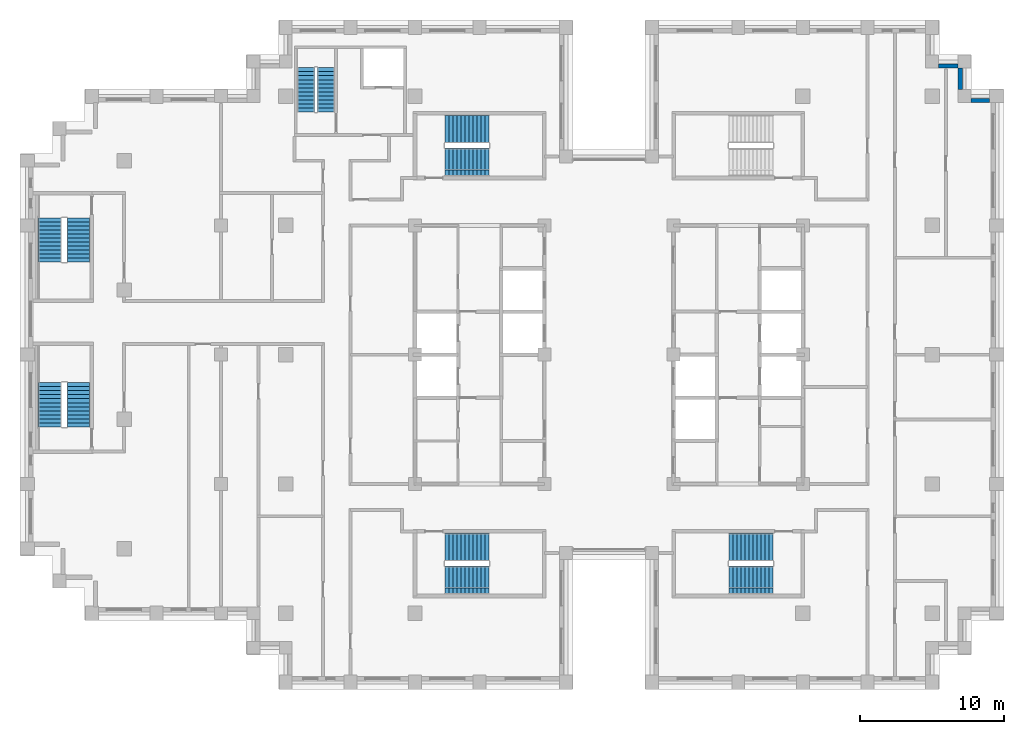
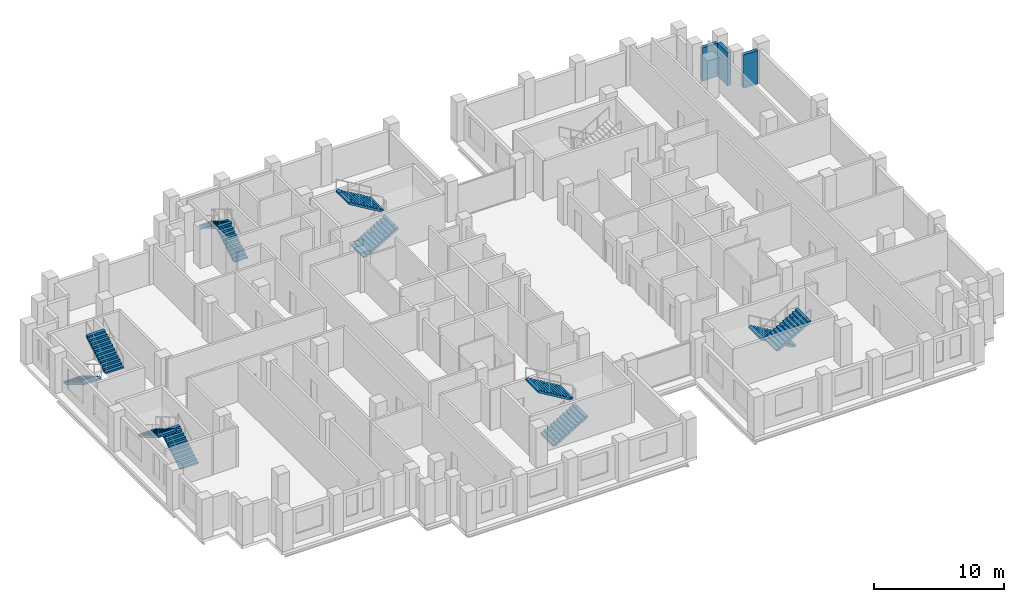
# One storey, part 12 of 15: 12 stair flights, 3 walls, 6 elements without a shape of their own.
"""IFC4 building model written with IfcOpenShell, lengths in metres."""

from ifc_helpers import new_model, si_unit, direction, frame, frame_2d, origin, place, context, subcontext, project, spatial, polyline, rectangle, outline, extrude, material, layer, layer_set, type_object, element, aggregate, save


model = new_model("IFC4")

# Units and contexts
model_context = context("Model", 3, precision=1e-05, world=origin(), true_north=direction((0.0, 1.0)))
body_context = subcontext(model_context, "Body", "Model", "MODEL_VIEW")
ifc_project = project(units=[si_unit("LENGTHUNIT", "METRE"), si_unit("AREAUNIT", "SQUARE_METRE"), si_unit("VOLUMEUNIT", "CUBIC_METRE"), si_unit("PLANEANGLEUNIT", "RADIAN"), si_unit("MASSUNIT", "GRAM", prefix="KILO")], contexts=[model_context])

# Site, building, storey
site_placement = place(None, origin())
site = spatial("IfcSite", under=ifc_project, at=site_placement, CompositionType="ELEMENT")
building_placement = place(site_placement, origin())
building = spatial("IfcBuilding", under=site, at=building_placement, Name="Corbelhall Arena Tower", CompositionType="ELEMENT")
storey_placement = place(building_placement, frame((0.0, 0.0, 204.0)))
storey = spatial("IfcBuildingStorey", under=building, at=storey_placement, Name="L42", CompositionType="ELEMENT", Elevation=204.0)

# Walls
ifc_material_1 = material(Name="Precast concrete C40/50 with granite facing", Category="masonry")
ifc_layer = layer(ifc_material_1, 0.300048828125)
ifc_layer_set = layer_set([ifc_layer], Name="EV-IW1 Infill panel 300")
wall_type = type_object("IfcWallType", Name="EV-IW1 Infill panel 300", PredefinedType="SOLIDWALL", material=ifc_layer_set)
wall_1_placement = place(storey_placement, frame((26.5, 17.699951171875, 0.0), z_axis=(0.0, 0.0, 1.0), x_axis=(-1.0, 0.0, 0.0)))
element("IfcWall", 1, at=wall_1_placement, inside=storey, type_object=wall_type, Name="Infill panel IW1", PredefinedType="SOLIDWALL", context=body_context, shape_type="SweptSolid", body=[
    extrude(rectangle(XDim=1.300048828125, YDim=0.300048828125, at=frame_2d((0.64990234375, 0.0))), origin(), (0.0, 0.0, 1.0), 3.1201171875),
])
wall_2_placement = place(storey_placement, frame((24.449951171875, 18.449951171875, 0.0), z_axis=(0.0, 0.0, 1.0), x_axis=(0.0, 1.0, 0.0)))
element("IfcWall", 2, at=wall_2_placement, inside=storey, type_object=wall_type, Name="Infill panel IW1", PredefinedType="SOLIDWALL", context=body_context, shape_type="SweptSolid", body=[
    extrude(rectangle(XDim=1.5, YDim=0.300048828125, at=frame_2d((0.75, 0.0))), origin(), (0.0, 0.0, 1.0), 3.1201171875),
])
wall_3_placement = place(storey_placement, frame((24.300048828125, 20.10009765625, 0.0), z_axis=(0.0, 0.0, 1.0), x_axis=(-1.0, 0.0, 0.0)))
element("IfcWall", 3, at=wall_3_placement, inside=storey, type_object=wall_type, Name="Infill panel IW1", PredefinedType="SOLIDWALL", context=body_context, shape_type="SweptSolid", body=[
    extrude(rectangle(XDim=1.35009765625, YDim=0.300048828125, at=frame_2d((0.675048828125, 0.0))), origin(), (0.0, 0.0, 1.0), 3.1201171875),
])

# Stair, stair flights
ifc_material_2 = material(Name="Concrete C40/50", Category="concrete")
stair_type = type_object("IfcStairType", Name="IN-ST-TOWER", PredefinedType="HALF_TURN_STAIR", material=ifc_material_2)
stair_1_placement = place(storey_placement, origin())
stair_1 = element("IfcStair", 4, at=stair_1_placement, inside=storey, type_object=stair_type, Name="L42 Exit stair ST1", PredefinedType="HALF_TURN_STAIR")
stair_flight_type = type_object("IfcStairFlightType", Name="IN-SFL-RC", PredefinedType="STRAIGHT", material=ifc_material_2)
stair_flight_1_placement = place(storey_placement, frame((-11.425048828125, 13.39990234375, 0.0), z_axis=(0.0, 0.0, 1.0), x_axis=(1.0, 0.0, 0.0)))
stair_flight_1 = element("IfcStairFlight", 5, at=stair_flight_1_placement, type_object=stair_flight_type, Name="ST1 flight 1", NumberOfRisers=12, NumberOfTreads=11, PredefinedType="STRAIGHT", RiserHeight=0.166666667, TreadLength=0.28, context=body_context, shape_type="SweptSolid", body=[
    extrude(outline(polyline([(0.0, 0.0), (0.0, 0.166748046875), (0.280029296875, 0.166748046875), (0.280029296875, 0.333251953125), (0.56005859375, 0.333251953125), (0.56005859375, 0.5), (0.840087890625, 0.5), (0.840087890625, 0.666748046875), (1.1201171875, 0.666748046875), (1.1201171875, 0.833251953125), (1.39990234375, 0.833251953125), (1.39990234375, 1.0), (1.679931640625, 1.0), (1.679931640625, 1.166748046875), (1.9599609375, 1.166748046875), (1.9599609375, 1.333251953125), (2.239990234375, 1.333251953125), (2.239990234375, 1.5), (2.52001953125, 1.5), (2.52001953125, 1.666748046875), (2.800048828125, 1.666748046875), (2.800048828125, 1.833251953125), (3.080078125, 1.833251953125), (3.080078125, 2.0), (3.080078125, 1.658935546875), (0.29296875, 0.0), (0.0, 0.0)])), frame((0.0, 0.97509765625, 0.0), z_axis=(0.0, -1.0, 0.0), x_axis=(1.0, 0.0, 0.0)), (0.0, 0.0, 1.0), 0.449951171875),
    extrude(outline(polyline([(0.0, 0.0), (0.0, 0.166748046875), (0.280029296875, 0.166748046875), (0.280029296875, 0.333251953125), (0.56005859375, 0.333251953125), (0.56005859375, 0.5), (0.840087890625, 0.5), (0.840087890625, 0.666748046875), (1.1201171875, 0.666748046875), (1.1201171875, 0.833251953125), (1.39990234375, 0.833251953125), (1.39990234375, 1.0), (1.679931640625, 1.0), (1.679931640625, 1.166748046875), (1.9599609375, 1.166748046875), (1.9599609375, 1.333251953125), (2.239990234375, 1.333251953125), (2.239990234375, 1.5), (2.52001953125, 1.5), (2.52001953125, 1.666748046875), (2.800048828125, 1.666748046875), (2.800048828125, 1.833251953125), (3.080078125, 1.833251953125), (3.080078125, 2.0), (3.080078125, 1.658935546875), (0.29296875, 0.0), (0.0, 0.0)])), frame((0.0, 0.52099609375, 0.0), z_axis=(0.0, -1.0, 0.0), x_axis=(1.0, 0.0, 0.0)), (0.0, 0.0, 1.0), 1.0419921875),
    extrude(outline(polyline([(0.0, 0.0), (0.0, 0.166748046875), (0.280029296875, 0.166748046875), (0.280029296875, 0.333251953125), (0.56005859375, 0.333251953125), (0.56005859375, 0.5), (0.840087890625, 0.5), (0.840087890625, 0.666748046875), (1.1201171875, 0.666748046875), (1.1201171875, 0.833251953125), (1.39990234375, 0.833251953125), (1.39990234375, 1.0), (1.679931640625, 1.0), (1.679931640625, 1.166748046875), (1.9599609375, 1.166748046875), (1.9599609375, 1.333251953125), (2.239990234375, 1.333251953125), (2.239990234375, 1.5), (2.52001953125, 1.5), (2.52001953125, 1.666748046875), (2.800048828125, 1.666748046875), (2.800048828125, 1.833251953125), (3.080078125, 1.833251953125), (3.080078125, 2.0), (3.080078125, 1.658935546875), (0.29296875, 0.0), (0.0, 0.0)])), frame((0.0, -0.52490234375, 0.0), z_axis=(0.0, -1.0, 0.0), x_axis=(1.0, 0.0, 0.0)), (0.0, 0.0, 1.0), 0.449951171875),
])
stair_flight_2_placement = place(storey_placement, frame((-8.344970703125, 15.699951171875, 2.0), z_axis=(0.0, 0.0, 1.0), x_axis=(-1.0, 0.0, 0.0)))
stair_flight_2 = element("IfcStairFlight", 6, at=stair_flight_2_placement, type_object=stair_flight_type, Name="ST1 flight 2", NumberOfRisers=12, NumberOfTreads=11, PredefinedType="STRAIGHT", RiserHeight=0.166666667, TreadLength=0.28, context=body_context, shape_type="SweptSolid", body=[
    extrude(outline(polyline([(0.0, 0.0), (0.0, 0.166748046875), (0.280029296875, 0.166748046875), (0.280029296875, 0.333251953125), (0.56005859375, 0.333251953125), (0.56005859375, 0.5), (0.840087890625, 0.5), (0.840087890625, 0.666748046875), (1.1201171875, 0.666748046875), (1.1201171875, 0.833251953125), (1.39990234375, 0.833251953125), (1.39990234375, 1.0), (1.679931640625, 1.0), (1.679931640625, 1.166748046875), (1.9599609375, 1.166748046875), (1.9599609375, 1.333251953125), (2.239990234375, 1.333251953125), (2.239990234375, 1.5), (2.52001953125, 1.5), (2.52001953125, 1.666748046875), (2.800048828125, 1.666748046875), (2.800048828125, 1.833251953125), (3.080078125, 1.833251953125), (3.080078125, 2.0), (3.080078125, 1.658935546875), (0.29296875, 0.0), (0.0, 0.0)])), frame((0.0, 0.97509765625, 0.0), z_axis=(0.0, -1.0, 0.0), x_axis=(1.0, 0.0, 0.0)), (0.0, 0.0, 1.0), 0.449951171875),
    extrude(outline(polyline([(0.0, 0.0), (0.0, 0.166748046875), (0.280029296875, 0.166748046875), (0.280029296875, 0.333251953125), (0.56005859375, 0.333251953125), (0.56005859375, 0.5), (0.840087890625, 0.5), (0.840087890625, 0.666748046875), (1.1201171875, 0.666748046875), (1.1201171875, 0.833251953125), (1.39990234375, 0.833251953125), (1.39990234375, 1.0), (1.679931640625, 1.0), (1.679931640625, 1.166748046875), (1.9599609375, 1.166748046875), (1.9599609375, 1.333251953125), (2.239990234375, 1.333251953125), (2.239990234375, 1.5), (2.52001953125, 1.5), (2.52001953125, 1.666748046875), (2.800048828125, 1.666748046875), (2.800048828125, 1.833251953125), (3.080078125, 1.833251953125), (3.080078125, 2.0), (3.080078125, 1.658935546875), (0.29296875, 0.0), (0.0, 0.0)])), frame((0.0, 0.52099609375, 0.0), z_axis=(0.0, -1.0, 0.0), x_axis=(1.0, 0.0, 0.0)), (0.0, 0.0, 1.0), 1.0419921875),
    extrude(outline(polyline([(0.0, 0.0), (0.0, 0.166748046875), (0.280029296875, 0.166748046875), (0.280029296875, 0.333251953125), (0.56005859375, 0.333251953125), (0.56005859375, 0.5), (0.840087890625, 0.5), (0.840087890625, 0.666748046875), (1.1201171875, 0.666748046875), (1.1201171875, 0.833251953125), (1.39990234375, 0.833251953125), (1.39990234375, 1.0), (1.679931640625, 1.0), (1.679931640625, 1.166748046875), (1.9599609375, 1.166748046875), (1.9599609375, 1.333251953125), (2.239990234375, 1.333251953125), (2.239990234375, 1.5), (2.52001953125, 1.5), (2.52001953125, 1.666748046875), (2.800048828125, 1.666748046875), (2.800048828125, 1.833251953125), (3.080078125, 1.833251953125), (3.080078125, 2.0), (3.080078125, 1.658935546875), (0.29296875, 0.0), (0.0, 0.0)])), frame((0.0, -0.52490234375, 0.0), z_axis=(0.0, -1.0, 0.0), x_axis=(1.0, 0.0, 0.0)), (0.0, 0.0, 1.0), 0.449951171875),
])
aggregate(stair_1, [stair_flight_1, stair_flight_2])

stair_2_placement = place(storey_placement, origin())
stair_2 = element("IfcStair", 7, at=stair_2_placement, inside=storey, type_object=stair_type, Name="L42 Exit stair ST2", PredefinedType="HALF_TURN_STAIR")
stair_flight_3_placement = place(storey_placement, frame((-11.425048828125, -15.699951171875, 0.0), z_axis=(0.0, 0.0, 1.0), x_axis=(1.0, 0.0, 0.0)))
stair_flight_3 = element("IfcStairFlight", 8, at=stair_flight_3_placement, type_object=stair_flight_type, Name="ST2 flight 1", NumberOfRisers=12, NumberOfTreads=11, PredefinedType="STRAIGHT", RiserHeight=0.166666667, TreadLength=0.28, context=body_context, shape_type="SweptSolid", body=[
    extrude(outline(polyline([(0.0, 0.0), (0.0, 0.166748046875), (0.280029296875, 0.166748046875), (0.280029296875, 0.333251953125), (0.56005859375, 0.333251953125), (0.56005859375, 0.5), (0.840087890625, 0.5), (0.840087890625, 0.666748046875), (1.1201171875, 0.666748046875), (1.1201171875, 0.833251953125), (1.39990234375, 0.833251953125), (1.39990234375, 1.0), (1.679931640625, 1.0), (1.679931640625, 1.166748046875), (1.9599609375, 1.166748046875), (1.9599609375, 1.333251953125), (2.239990234375, 1.333251953125), (2.239990234375, 1.5), (2.52001953125, 1.5), (2.52001953125, 1.666748046875), (2.800048828125, 1.666748046875), (2.800048828125, 1.833251953125), (3.080078125, 1.833251953125), (3.080078125, 2.0), (3.080078125, 1.658935546875), (0.29296875, 0.0), (0.0, 0.0)])), frame((0.0, 0.97509765625, 0.0), z_axis=(0.0, -1.0, 0.0), x_axis=(1.0, 0.0, 0.0)), (0.0, 0.0, 1.0), 0.449951171875),
    extrude(outline(polyline([(0.0, 0.0), (0.0, 0.166748046875), (0.280029296875, 0.166748046875), (0.280029296875, 0.333251953125), (0.56005859375, 0.333251953125), (0.56005859375, 0.5), (0.840087890625, 0.5), (0.840087890625, 0.666748046875), (1.1201171875, 0.666748046875), (1.1201171875, 0.833251953125), (1.39990234375, 0.833251953125), (1.39990234375, 1.0), (1.679931640625, 1.0), (1.679931640625, 1.166748046875), (1.9599609375, 1.166748046875), (1.9599609375, 1.333251953125), (2.239990234375, 1.333251953125), (2.239990234375, 1.5), (2.52001953125, 1.5), (2.52001953125, 1.666748046875), (2.800048828125, 1.666748046875), (2.800048828125, 1.833251953125), (3.080078125, 1.833251953125), (3.080078125, 2.0), (3.080078125, 1.658935546875), (0.29296875, 0.0), (0.0, 0.0)])), frame((0.0, 0.52099609375, 0.0), z_axis=(0.0, -1.0, 0.0), x_axis=(1.0, 0.0, 0.0)), (0.0, 0.0, 1.0), 1.0419921875),
    extrude(outline(polyline([(0.0, 0.0), (0.0, 0.166748046875), (0.280029296875, 0.166748046875), (0.280029296875, 0.333251953125), (0.56005859375, 0.333251953125), (0.56005859375, 0.5), (0.840087890625, 0.5), (0.840087890625, 0.666748046875), (1.1201171875, 0.666748046875), (1.1201171875, 0.833251953125), (1.39990234375, 0.833251953125), (1.39990234375, 1.0), (1.679931640625, 1.0), (1.679931640625, 1.166748046875), (1.9599609375, 1.166748046875), (1.9599609375, 1.333251953125), (2.239990234375, 1.333251953125), (2.239990234375, 1.5), (2.52001953125, 1.5), (2.52001953125, 1.666748046875), (2.800048828125, 1.666748046875), (2.800048828125, 1.833251953125), (3.080078125, 1.833251953125), (3.080078125, 2.0), (3.080078125, 1.658935546875), (0.29296875, 0.0), (0.0, 0.0)])), frame((0.0, -0.52490234375, 0.0), z_axis=(0.0, -1.0, 0.0), x_axis=(1.0, 0.0, 0.0)), (0.0, 0.0, 1.0), 0.449951171875),
])
stair_flight_4_placement = place(storey_placement, frame((-8.344970703125, -13.39990234375, 2.0), z_axis=(0.0, 0.0, 1.0), x_axis=(-1.0, 0.0, 0.0)))
stair_flight_4 = element("IfcStairFlight", 9, at=stair_flight_4_placement, type_object=stair_flight_type, Name="ST2 flight 2", NumberOfRisers=12, NumberOfTreads=11, PredefinedType="STRAIGHT", RiserHeight=0.166666667, TreadLength=0.28, context=body_context, shape_type="SweptSolid", body=[
    extrude(outline(polyline([(0.0, 0.0), (0.0, 0.166748046875), (0.280029296875, 0.166748046875), (0.280029296875, 0.333251953125), (0.56005859375, 0.333251953125), (0.56005859375, 0.5), (0.840087890625, 0.5), (0.840087890625, 0.666748046875), (1.1201171875, 0.666748046875), (1.1201171875, 0.833251953125), (1.39990234375, 0.833251953125), (1.39990234375, 1.0), (1.679931640625, 1.0), (1.679931640625, 1.166748046875), (1.9599609375, 1.166748046875), (1.9599609375, 1.333251953125), (2.239990234375, 1.333251953125), (2.239990234375, 1.5), (2.52001953125, 1.5), (2.52001953125, 1.666748046875), (2.800048828125, 1.666748046875), (2.800048828125, 1.833251953125), (3.080078125, 1.833251953125), (3.080078125, 2.0), (3.080078125, 1.658935546875), (0.29296875, 0.0), (0.0, 0.0)])), frame((0.0, 0.97509765625, 0.0), z_axis=(0.0, -1.0, 0.0), x_axis=(1.0, 0.0, 0.0)), (0.0, 0.0, 1.0), 0.449951171875),
    extrude(outline(polyline([(0.0, 0.0), (0.0, 0.166748046875), (0.280029296875, 0.166748046875), (0.280029296875, 0.333251953125), (0.56005859375, 0.333251953125), (0.56005859375, 0.5), (0.840087890625, 0.5), (0.840087890625, 0.666748046875), (1.1201171875, 0.666748046875), (1.1201171875, 0.833251953125), (1.39990234375, 0.833251953125), (1.39990234375, 1.0), (1.679931640625, 1.0), (1.679931640625, 1.166748046875), (1.9599609375, 1.166748046875), (1.9599609375, 1.333251953125), (2.239990234375, 1.333251953125), (2.239990234375, 1.5), (2.52001953125, 1.5), (2.52001953125, 1.666748046875), (2.800048828125, 1.666748046875), (2.800048828125, 1.833251953125), (3.080078125, 1.833251953125), (3.080078125, 2.0), (3.080078125, 1.658935546875), (0.29296875, 0.0), (0.0, 0.0)])), frame((0.0, 0.52099609375, 0.0), z_axis=(0.0, -1.0, 0.0), x_axis=(1.0, 0.0, 0.0)), (0.0, 0.0, 1.0), 1.0419921875),
    extrude(outline(polyline([(0.0, 0.0), (0.0, 0.166748046875), (0.280029296875, 0.166748046875), (0.280029296875, 0.333251953125), (0.56005859375, 0.333251953125), (0.56005859375, 0.5), (0.840087890625, 0.5), (0.840087890625, 0.666748046875), (1.1201171875, 0.666748046875), (1.1201171875, 0.833251953125), (1.39990234375, 0.833251953125), (1.39990234375, 1.0), (1.679931640625, 1.0), (1.679931640625, 1.166748046875), (1.9599609375, 1.166748046875), (1.9599609375, 1.333251953125), (2.239990234375, 1.333251953125), (2.239990234375, 1.5), (2.52001953125, 1.5), (2.52001953125, 1.666748046875), (2.800048828125, 1.666748046875), (2.800048828125, 1.833251953125), (3.080078125, 1.833251953125), (3.080078125, 2.0), (3.080078125, 1.658935546875), (0.29296875, 0.0), (0.0, 0.0)])), frame((0.0, -0.52490234375, 0.0), z_axis=(0.0, -1.0, 0.0), x_axis=(1.0, 0.0, 0.0)), (0.0, 0.0, 1.0), 0.449951171875),
])
aggregate(stair_2, [stair_flight_3, stair_flight_4])

stair_3_placement = place(storey_placement, origin())
stair_3 = element("IfcStair", 10, at=stair_3_placement, inside=storey, type_object=stair_type, Name="L42 Exit stair ST4", PredefinedType="HALF_TURN_STAIR")
stair_flight_5_placement = place(storey_placement, frame((11.425048828125, -13.39990234375, 0.0), z_axis=(0.0, 0.0, 1.0), x_axis=(-1.0, 0.0, 0.0)))
stair_flight_5 = element("IfcStairFlight", 11, at=stair_flight_5_placement, type_object=stair_flight_type, Name="ST4 flight 1", NumberOfRisers=12, NumberOfTreads=11, PredefinedType="STRAIGHT", RiserHeight=0.166666667, TreadLength=0.28, context=body_context, shape_type="SweptSolid", body=[
    extrude(outline(polyline([(0.0, 0.0), (0.0, 0.166748046875), (0.280029296875, 0.166748046875), (0.280029296875, 0.333251953125), (0.56005859375, 0.333251953125), (0.56005859375, 0.5), (0.840087890625, 0.5), (0.840087890625, 0.666748046875), (1.1201171875, 0.666748046875), (1.1201171875, 0.833251953125), (1.39990234375, 0.833251953125), (1.39990234375, 1.0), (1.679931640625, 1.0), (1.679931640625, 1.166748046875), (1.9599609375, 1.166748046875), (1.9599609375, 1.333251953125), (2.239990234375, 1.333251953125), (2.239990234375, 1.5), (2.52001953125, 1.5), (2.52001953125, 1.666748046875), (2.800048828125, 1.666748046875), (2.800048828125, 1.833251953125), (3.080078125, 1.833251953125), (3.080078125, 2.0), (3.080078125, 1.658935546875), (0.29296875, 0.0), (0.0, 0.0)])), frame((0.0, 0.97509765625, 0.0), z_axis=(0.0, -1.0, 0.0), x_axis=(1.0, 0.0, 0.0)), (0.0, 0.0, 1.0), 0.449951171875),
    extrude(outline(polyline([(0.0, 0.0), (0.0, 0.166748046875), (0.280029296875, 0.166748046875), (0.280029296875, 0.333251953125), (0.56005859375, 0.333251953125), (0.56005859375, 0.5), (0.840087890625, 0.5), (0.840087890625, 0.666748046875), (1.1201171875, 0.666748046875), (1.1201171875, 0.833251953125), (1.39990234375, 0.833251953125), (1.39990234375, 1.0), (1.679931640625, 1.0), (1.679931640625, 1.166748046875), (1.9599609375, 1.166748046875), (1.9599609375, 1.333251953125), (2.239990234375, 1.333251953125), (2.239990234375, 1.5), (2.52001953125, 1.5), (2.52001953125, 1.666748046875), (2.800048828125, 1.666748046875), (2.800048828125, 1.833251953125), (3.080078125, 1.833251953125), (3.080078125, 2.0), (3.080078125, 1.658935546875), (0.29296875, 0.0), (0.0, 0.0)])), frame((0.0, 0.52099609375, 0.0), z_axis=(0.0, -1.0, 0.0), x_axis=(1.0, 0.0, 0.0)), (0.0, 0.0, 1.0), 1.0419921875),
    extrude(outline(polyline([(0.0, 0.0), (0.0, 0.166748046875), (0.280029296875, 0.166748046875), (0.280029296875, 0.333251953125), (0.56005859375, 0.333251953125), (0.56005859375, 0.5), (0.840087890625, 0.5), (0.840087890625, 0.666748046875), (1.1201171875, 0.666748046875), (1.1201171875, 0.833251953125), (1.39990234375, 0.833251953125), (1.39990234375, 1.0), (1.679931640625, 1.0), (1.679931640625, 1.166748046875), (1.9599609375, 1.166748046875), (1.9599609375, 1.333251953125), (2.239990234375, 1.333251953125), (2.239990234375, 1.5), (2.52001953125, 1.5), (2.52001953125, 1.666748046875), (2.800048828125, 1.666748046875), (2.800048828125, 1.833251953125), (3.080078125, 1.833251953125), (3.080078125, 2.0), (3.080078125, 1.658935546875), (0.29296875, 0.0), (0.0, 0.0)])), frame((0.0, -0.52490234375, 0.0), z_axis=(0.0, -1.0, 0.0), x_axis=(1.0, 0.0, 0.0)), (0.0, 0.0, 1.0), 0.449951171875),
])
stair_flight_6_placement = place(storey_placement, frame((8.344970703125, -15.699951171875, 2.0), z_axis=(0.0, 0.0, 1.0), x_axis=(1.0, 0.0, 0.0)))
stair_flight_6 = element("IfcStairFlight", 12, at=stair_flight_6_placement, type_object=stair_flight_type, Name="ST4 flight 2", NumberOfRisers=12, NumberOfTreads=11, PredefinedType="STRAIGHT", RiserHeight=0.166666667, TreadLength=0.28, context=body_context, shape_type="SweptSolid", body=[
    extrude(outline(polyline([(0.0, 0.0), (0.0, 0.166748046875), (0.280029296875, 0.166748046875), (0.280029296875, 0.333251953125), (0.56005859375, 0.333251953125), (0.56005859375, 0.5), (0.840087890625, 0.5), (0.840087890625, 0.666748046875), (1.1201171875, 0.666748046875), (1.1201171875, 0.833251953125), (1.39990234375, 0.833251953125), (1.39990234375, 1.0), (1.679931640625, 1.0), (1.679931640625, 1.166748046875), (1.9599609375, 1.166748046875), (1.9599609375, 1.333251953125), (2.239990234375, 1.333251953125), (2.239990234375, 1.5), (2.52001953125, 1.5), (2.52001953125, 1.666748046875), (2.800048828125, 1.666748046875), (2.800048828125, 1.833251953125), (3.080078125, 1.833251953125), (3.080078125, 2.0), (3.080078125, 1.658935546875), (0.29296875, 0.0), (0.0, 0.0)])), frame((0.0, 0.97509765625, 0.0), z_axis=(0.0, -1.0, 0.0), x_axis=(1.0, 0.0, 0.0)), (0.0, 0.0, 1.0), 0.449951171875),
    extrude(outline(polyline([(0.0, 0.0), (0.0, 0.166748046875), (0.280029296875, 0.166748046875), (0.280029296875, 0.333251953125), (0.56005859375, 0.333251953125), (0.56005859375, 0.5), (0.840087890625, 0.5), (0.840087890625, 0.666748046875), (1.1201171875, 0.666748046875), (1.1201171875, 0.833251953125), (1.39990234375, 0.833251953125), (1.39990234375, 1.0), (1.679931640625, 1.0), (1.679931640625, 1.166748046875), (1.9599609375, 1.166748046875), (1.9599609375, 1.333251953125), (2.239990234375, 1.333251953125), (2.239990234375, 1.5), (2.52001953125, 1.5), (2.52001953125, 1.666748046875), (2.800048828125, 1.666748046875), (2.800048828125, 1.833251953125), (3.080078125, 1.833251953125), (3.080078125, 2.0), (3.080078125, 1.658935546875), (0.29296875, 0.0), (0.0, 0.0)])), frame((0.0, 0.52099609375, 0.0), z_axis=(0.0, -1.0, 0.0), x_axis=(1.0, 0.0, 0.0)), (0.0, 0.0, 1.0), 1.0419921875),
    extrude(outline(polyline([(0.0, 0.0), (0.0, 0.166748046875), (0.280029296875, 0.166748046875), (0.280029296875, 0.333251953125), (0.56005859375, 0.333251953125), (0.56005859375, 0.5), (0.840087890625, 0.5), (0.840087890625, 0.666748046875), (1.1201171875, 0.666748046875), (1.1201171875, 0.833251953125), (1.39990234375, 0.833251953125), (1.39990234375, 1.0), (1.679931640625, 1.0), (1.679931640625, 1.166748046875), (1.9599609375, 1.166748046875), (1.9599609375, 1.333251953125), (2.239990234375, 1.333251953125), (2.239990234375, 1.5), (2.52001953125, 1.5), (2.52001953125, 1.666748046875), (2.800048828125, 1.666748046875), (2.800048828125, 1.833251953125), (3.080078125, 1.833251953125), (3.080078125, 2.0), (3.080078125, 1.658935546875), (0.29296875, 0.0), (0.0, 0.0)])), frame((0.0, -0.52490234375, 0.0), z_axis=(0.0, -1.0, 0.0), x_axis=(1.0, 0.0, 0.0)), (0.0, 0.0, 1.0), 0.449951171875),
])
aggregate(stair_3, [stair_flight_5, stair_flight_6])

stair_4_placement = place(storey_placement, origin())
stair_4 = element("IfcStair", 13, at=stair_4_placement, inside=storey, type_object=stair_type, Name="L42 Exit stair SC1", PredefinedType="HALF_TURN_STAIR")
stair_flight_7_placement = place(storey_placement, frame((-38.89990234375, 9.52490234375, 0.0), z_axis=(0.0, 0.0, 1.0), x_axis=(0.0, -1.0, 0.0)))
stair_flight_7 = element("IfcStairFlight", 14, at=stair_flight_7_placement, type_object=stair_flight_type, Name="SC1 flight 1", NumberOfRisers=12, NumberOfTreads=11, PredefinedType="STRAIGHT", RiserHeight=0.166666667, TreadLength=0.28, context=body_context, shape_type="SweptSolid", body=[
    extrude(outline(polyline([(0.0, 0.0), (0.0, 0.166748046875), (0.280029296875, 0.166748046875), (0.280029296875, 0.333251953125), (0.56005859375, 0.333251953125), (0.56005859375, 0.5), (0.840087890625, 0.5), (0.840087890625, 0.666748046875), (1.1201171875, 0.666748046875), (1.1201171875, 0.833251953125), (1.39990234375, 0.833251953125), (1.39990234375, 1.0), (1.679931640625, 1.0), (1.679931640625, 1.166748046875), (1.9599609375, 1.166748046875), (1.9599609375, 1.333251953125), (2.239990234375, 1.333251953125), (2.239990234375, 1.5), (2.52001953125, 1.5), (2.52001953125, 1.666748046875), (2.800048828125, 1.666748046875), (2.800048828125, 1.833251953125), (3.080078125, 1.833251953125), (3.080078125, 2.0), (3.080078125, 1.658935546875), (0.29296875, 0.0), (0.0, 0.0)])), frame((0.0, 0.800048828125, 0.0), z_axis=(0.0, -1.0, 0.0), x_axis=(1.0, 0.0, 0.0)), (0.0, 0.0, 1.0), 1.60009765625),
])
stair_flight_8_placement = place(storey_placement, frame((-36.925048828125, 6.445068359375, 2.0), z_axis=(0.0, 0.0, 1.0), x_axis=(0.0, 1.0, 0.0)))
stair_flight_8 = element("IfcStairFlight", 15, at=stair_flight_8_placement, type_object=stair_flight_type, Name="SC1 flight 2", NumberOfRisers=12, NumberOfTreads=11, PredefinedType="STRAIGHT", RiserHeight=0.166666667, TreadLength=0.28, context=body_context, shape_type="SweptSolid", body=[
    extrude(outline(polyline([(0.0, 0.0), (0.0, 0.166748046875), (0.280029296875, 0.166748046875), (0.280029296875, 0.333251953125), (0.56005859375, 0.333251953125), (0.56005859375, 0.5), (0.840087890625, 0.5), (0.840087890625, 0.666748046875), (1.1201171875, 0.666748046875), (1.1201171875, 0.833251953125), (1.39990234375, 0.833251953125), (1.39990234375, 1.0), (1.679931640625, 1.0), (1.679931640625, 1.166748046875), (1.9599609375, 1.166748046875), (1.9599609375, 1.333251953125), (2.239990234375, 1.333251953125), (2.239990234375, 1.5), (2.52001953125, 1.5), (2.52001953125, 1.666748046875), (2.800048828125, 1.666748046875), (2.800048828125, 1.833251953125), (3.080078125, 1.833251953125), (3.080078125, 2.0), (3.080078125, 1.658935546875), (0.29296875, 0.0), (0.0, 0.0)])), frame((0.0, 0.800048828125, 0.0), z_axis=(0.0, -1.0, 0.0), x_axis=(1.0, 0.0, 0.0)), (0.0, 0.0, 1.0), 1.60009765625),
])
aggregate(stair_4, [stair_flight_7, stair_flight_8])

stair_5_placement = place(storey_placement, origin())
stair_5 = element("IfcStair", 16, at=stair_5_placement, inside=storey, type_object=stair_type, Name="L42 Exit stair SC2", PredefinedType="HALF_TURN_STAIR")
stair_flight_9_placement = place(storey_placement, frame((-36.925048828125, -5.02490234375, 0.0), z_axis=(0.0, 0.0, 1.0), x_axis=(0.0, 1.0, 0.0)))
stair_flight_9 = element("IfcStairFlight", 17, at=stair_flight_9_placement, type_object=stair_flight_type, Name="SC2 flight 1", NumberOfRisers=12, NumberOfTreads=11, PredefinedType="STRAIGHT", RiserHeight=0.166666667, TreadLength=0.28, context=body_context, shape_type="SweptSolid", body=[
    extrude(outline(polyline([(0.0, 0.0), (0.0, 0.166748046875), (0.280029296875, 0.166748046875), (0.280029296875, 0.333251953125), (0.56005859375, 0.333251953125), (0.56005859375, 0.5), (0.840087890625, 0.5), (0.840087890625, 0.666748046875), (1.1201171875, 0.666748046875), (1.1201171875, 0.833251953125), (1.39990234375, 0.833251953125), (1.39990234375, 1.0), (1.679931640625, 1.0), (1.679931640625, 1.166748046875), (1.9599609375, 1.166748046875), (1.9599609375, 1.333251953125), (2.239990234375, 1.333251953125), (2.239990234375, 1.5), (2.52001953125, 1.5), (2.52001953125, 1.666748046875), (2.800048828125, 1.666748046875), (2.800048828125, 1.833251953125), (3.080078125, 1.833251953125), (3.080078125, 2.0), (3.080078125, 1.658935546875), (0.29296875, 0.0), (0.0, 0.0)])), frame((0.0, 0.800048828125, 0.0), z_axis=(0.0, -1.0, 0.0), x_axis=(1.0, 0.0, 0.0)), (0.0, 0.0, 1.0), 1.60009765625),
])
stair_flight_10_placement = place(storey_placement, frame((-38.89990234375, -1.945068359375, 2.0), z_axis=(0.0, 0.0, 1.0), x_axis=(0.0, -1.0, 0.0)))
stair_flight_10 = element("IfcStairFlight", 18, at=stair_flight_10_placement, type_object=stair_flight_type, Name="SC2 flight 2", NumberOfRisers=12, NumberOfTreads=11, PredefinedType="STRAIGHT", RiserHeight=0.166666667, TreadLength=0.28, context=body_context, shape_type="SweptSolid", body=[
    extrude(outline(polyline([(0.0, 0.0), (0.0, 0.166748046875), (0.280029296875, 0.166748046875), (0.280029296875, 0.333251953125), (0.56005859375, 0.333251953125), (0.56005859375, 0.5), (0.840087890625, 0.5), (0.840087890625, 0.666748046875), (1.1201171875, 0.666748046875), (1.1201171875, 0.833251953125), (1.39990234375, 0.833251953125), (1.39990234375, 1.0), (1.679931640625, 1.0), (1.679931640625, 1.166748046875), (1.9599609375, 1.166748046875), (1.9599609375, 1.333251953125), (2.239990234375, 1.333251953125), (2.239990234375, 1.5), (2.52001953125, 1.5), (2.52001953125, 1.666748046875), (2.800048828125, 1.666748046875), (2.800048828125, 1.833251953125), (3.080078125, 1.833251953125), (3.080078125, 2.0), (3.080078125, 1.658935546875), (0.29296875, 0.0), (0.0, 0.0)])), frame((0.0, 0.800048828125, 0.0), z_axis=(0.0, -1.0, 0.0), x_axis=(1.0, 0.0, 0.0)), (0.0, 0.0, 1.0), 1.60009765625),
])
aggregate(stair_5, [stair_flight_9, stair_flight_10])

stair_6_placement = place(storey_placement, origin())
stair_6 = element("IfcStair", 19, at=stair_6_placement, inside=storey, type_object=stair_type, Name="L42 Exit stair ST5", PredefinedType="HALF_TURN_STAIR")
stair_flight_11_placement = place(storey_placement, frame((-19.695068359375, 16.89990234375, 0.0), z_axis=(0.0, 0.0, 1.0), x_axis=(0.0, 1.0, 0.0)))
stair_flight_11 = element("IfcStairFlight", 20, at=stair_flight_11_placement, type_object=stair_flight_type, Name="ST5 flight 1", NumberOfRisers=12, NumberOfTreads=11, PredefinedType="STRAIGHT", RiserHeight=0.166666667, TreadLength=0.28, context=body_context, shape_type="SweptSolid", body=[
    extrude(outline(polyline([(0.0, 0.0), (0.0, 0.166748046875), (0.280029296875, 0.166748046875), (0.280029296875, 0.333251953125), (0.56005859375, 0.333251953125), (0.56005859375, 0.5), (0.840087890625, 0.5), (0.840087890625, 0.666748046875), (1.1201171875, 0.666748046875), (1.1201171875, 0.833251953125), (1.39990234375, 0.833251953125), (1.39990234375, 1.0), (1.679931640625, 1.0), (1.679931640625, 1.166748046875), (1.9599609375, 1.166748046875), (1.9599609375, 1.333251953125), (2.239990234375, 1.333251953125), (2.239990234375, 1.5), (2.52001953125, 1.5), (2.52001953125, 1.666748046875), (2.800048828125, 1.666748046875), (2.800048828125, 1.833251953125), (3.080078125, 1.833251953125), (3.080078125, 2.0), (3.080078125, 1.658935546875), (0.29296875, 0.0), (0.0, 0.0)])), frame((0.0, 0.60009765625, 0.0), z_axis=(0.0, -1.0, 0.0), x_axis=(1.0, 0.0, 0.0)), (0.0, 0.0, 1.0), 1.199951171875),
])
stair_flight_12_placement = place(storey_placement, frame((-21.094970703125, 19.97998046875, 2.0), z_axis=(0.0, 0.0, 1.0), x_axis=(0.0, -1.0, 0.0)))
stair_flight_12 = element("IfcStairFlight", 21, at=stair_flight_12_placement, type_object=stair_flight_type, Name="ST5 flight 2", NumberOfRisers=12, NumberOfTreads=11, PredefinedType="STRAIGHT", RiserHeight=0.166666667, TreadLength=0.28, context=body_context, shape_type="SweptSolid", body=[
    extrude(outline(polyline([(0.0, 0.0), (0.0, 0.166748046875), (0.280029296875, 0.166748046875), (0.280029296875, 0.333251953125), (0.56005859375, 0.333251953125), (0.56005859375, 0.5), (0.840087890625, 0.5), (0.840087890625, 0.666748046875), (1.1201171875, 0.666748046875), (1.1201171875, 0.833251953125), (1.39990234375, 0.833251953125), (1.39990234375, 1.0), (1.679931640625, 1.0), (1.679931640625, 1.166748046875), (1.9599609375, 1.166748046875), (1.9599609375, 1.333251953125), (2.239990234375, 1.333251953125), (2.239990234375, 1.5), (2.52001953125, 1.5), (2.52001953125, 1.666748046875), (2.800048828125, 1.666748046875), (2.800048828125, 1.833251953125), (3.080078125, 1.833251953125), (3.080078125, 2.0), (3.080078125, 1.658935546875), (0.29296875, 0.0), (0.0, 0.0)])), frame((0.0, 0.60009765625, 0.0), z_axis=(0.0, -1.0, 0.0), x_axis=(1.0, 0.0, 0.0)), (0.0, 0.0, 1.0), 1.199951171875),
])
aggregate(stair_6, [stair_flight_11, stair_flight_12])

save(model, "model.ifc")
